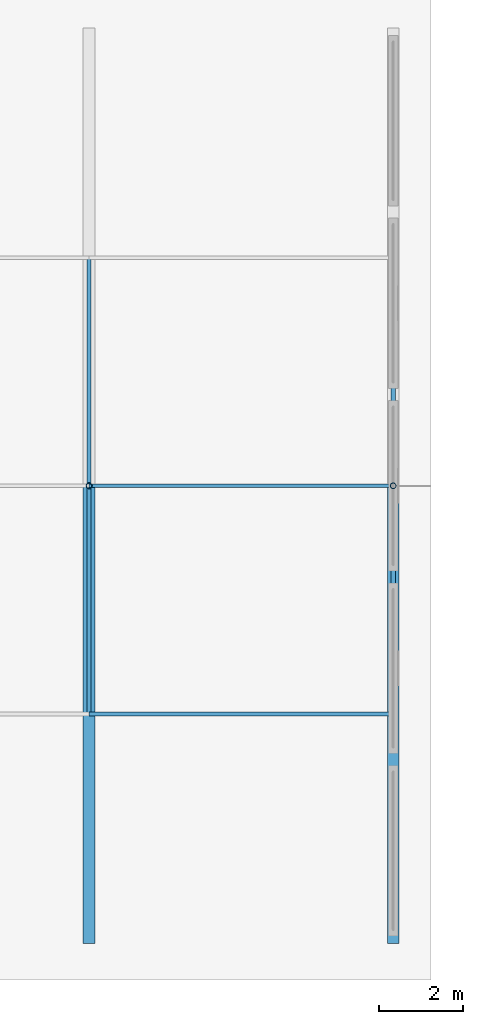
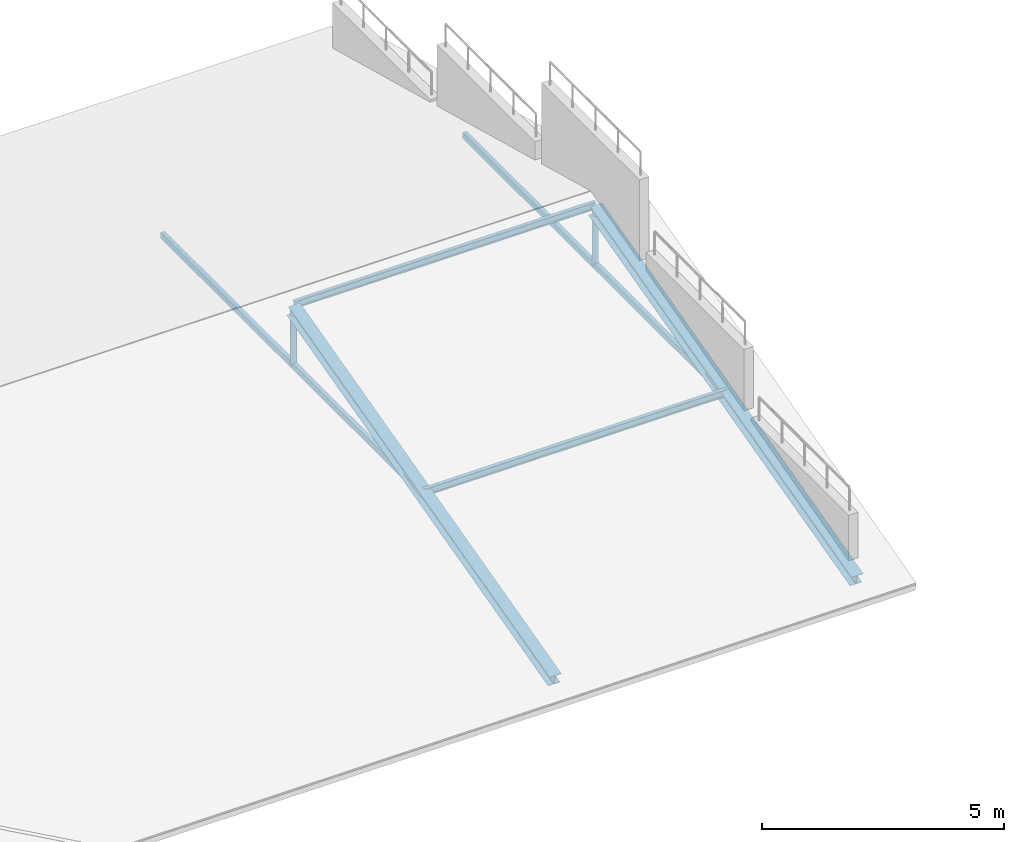
# One storey, part 22 of 124: 8 members.
"""IFC4 building model written with IfcOpenShell, lengths in metres."""

from ifc_helpers import new_model, si_unit, direction, frame, origin, origin_2d, place, context, subcontext, project, spatial, hollow_rectangle, hollow_circle, i_section, extrude, material, material_profile, profile_set, type_object, element, save


model = new_model("IFC4")

# Units and contexts
model_context = context("Model", 3, precision=1e-05, world=origin(), true_north=direction((0.0, 1.0)))
body_context = subcontext(model_context, "Body", "Model", "MODEL_VIEW")
ifc_project = project(units=[si_unit("LENGTHUNIT", "METRE"), si_unit("AREAUNIT", "SQUARE_METRE"), si_unit("VOLUMEUNIT", "CUBIC_METRE"), si_unit("PLANEANGLEUNIT", "RADIAN"), si_unit("MASSUNIT", "GRAM", prefix="KILO"), si_unit("THERMODYNAMICTEMPERATUREUNIT", "KELVIN"), si_unit("POWERUNIT", "WATT")], contexts=[model_context])

# Site, building, storey
site_placement = place(None, origin())
site = spatial("IfcSite", under=ifc_project, at=site_placement, CompositionType="ELEMENT")
building_placement = place(site_placement, origin())
building = spatial("IfcBuilding", under=site, at=building_placement, Name="Tavuni Mirador Residences", CompositionType="ELEMENT")
storey_placement = place(building_placement, frame((0.0, 0.0, 7.64990234375)))
storey = spatial("IfcBuildingStorey", under=building, at=storey_placement, Name="L02", CompositionType="ELEMENT", Elevation=7.64990234375)

# Members
ifc_material = material(Name="Structural steel S355", Category="steel")
ifc_material_profile_1 = material_profile(ifc_material, hollow_circle(Radius=0.06982421875, WallThickness=0.008056640625, at=origin_2d()), Name="CHS 139.7x8.0", Category="steel")
ifc_profile_set_1 = profile_set([ifc_material_profile_1], Name="Structural steel S355")
member_type_1 = type_object("IfcMemberType", Name="MT-BR-CHS139", PredefinedType="BRACE", material=ifc_profile_set_1)
for number, where, z_axis, x_axis, name in (
    (1, (82.800048828125, 18.0, 1.050048828125), (0.0, 0.0, 1.0), (1.0, 0.0, 0.0), "RKP-PAV-SHOP-05"),
    (2, (90.0, 18.0, 1.050048828125), (0.0, 0.0, 1.0), (1.0, 0.0, 0.0), "RKP-PAV-SHOP-06"),
):
    element("IfcMember", number, at=place(storey_placement, frame(where, z_axis=z_axis, x_axis=x_axis)), inside=storey, type_object=member_type_1, Name=name, PredefinedType="BRACE", context=body_context, shape_type="SweptSolid", body=[
        extrude(hollow_circle(Radius=0.06982421875, WallThickness=0.008056640625, at=origin_2d()), origin(), (0.0, 0.0, 1.0), 1.400146484375),
    ])
ifc_material_profile_2 = material_profile(ifc_material, hollow_rectangle(XDim=0.10009765625, YDim=0.14990234375, WallThickness=0.008056640625, at=origin_2d()), Name="RHS 150x100x8.0", Category="steel")
ifc_profile_set_2 = profile_set([ifc_material_profile_2], Name="Structural steel S355")
member_type_2 = type_object("IfcMemberType", Name="MT-BR-RHS150", PredefinedType="BRACE", material=ifc_profile_set_2)
for number, where, z_axis, x_axis, name in (
    (3, (82.800048828125, 12.60009765625, 1.050048828125), (0.0, 1.0, 0.0), (-1.0, 0.0, 0.0), "RTIE-PAV-SHOP-05"),
    (4, (90.0, 12.60009765625, 1.050048828125), (0.0, 1.0, 0.0), (-1.0, 0.0, 0.0), "RTIE-PAV-SHOP-06"),
):
    element("IfcMember", number, at=place(storey_placement, frame(where, z_axis=z_axis, x_axis=x_axis)), inside=storey, type_object=member_type_2, Name=name, PredefinedType="BRACE", context=body_context, shape_type="SweptSolid", body=[
        extrude(hollow_rectangle(XDim=0.10009765625, YDim=0.14990234375, WallThickness=0.008056640625, at=origin_2d()), origin(), (0.0, 0.0, 1.0), 10.7998046875),
    ])
ifc_material_profile_3 = material_profile(ifc_material, i_section(OverallWidth=0.280029296875, OverallDepth=0.27001953125, WebThickness=0.008056640625, FlangeThickness=0.012939453125, FilletRadius=0.02392578125, at=origin_2d()), Name="HEA 280", Category="steel")
ifc_profile_set_3 = profile_set([ifc_material_profile_3], Name="Structural steel S355")
member_type_3 = type_object("IfcMemberType", Name="MT-CH-HEA280", PredefinedType="CHORD", material=ifc_profile_set_3)
for number, where, z_axis, x_axis, name in (
    (5, (82.800048828125, 7.199951171875, -0.349853515625), (0.0, 0.967996110632, 0.250965196393), (-1.0, 0.0, 0.0), "RAF-PAV-SHOP-05-S"),
    (6, (90.0, 7.199951171875, -0.349853515625), (0.0, 0.967996110632, 0.250965196393), (-1.0, 0.0, 0.0), "RAF-PAV-SHOP-06-S"),
):
    element("IfcMember", number, at=place(storey_placement, frame(where, z_axis=z_axis, x_axis=x_axis)), inside=storey, type_object=member_type_3, Name=name, PredefinedType="CHORD", context=body_context, shape_type="SweptSolid", body=[
        extrude(i_section(OverallWidth=0.280029296875, OverallDepth=0.27001953125, WebThickness=0.008056640625, FlangeThickness=0.012939453125, FilletRadius=0.02392578125, at=origin_2d()), origin(), (0.0, 0.0, 1.0), 11.1572265625),
    ])
ifc_material_profile_4 = material_profile(ifc_material, i_section(OverallWidth=0.091064453125, OverallDepth=0.179931640625, WebThickness=0.00537109375, FlangeThickness=0.008056640625, FilletRadius=0.009033203125, at=origin_2d()), Name="IPE 180", Category="steel")
ifc_profile_set_4 = profile_set([ifc_material_profile_4], Name="Structural steel S355")
member_type_4 = type_object("IfcMemberType", Name="MT-PR-IPE180", PredefinedType="PURLIN", material=ifc_profile_set_4)
for number, where, z_axis, x_axis, name in (
    (7, (82.800048828125, 12.60009765625, 1.114990234375), (1.0, 0.0, 0.0), (0.0, 1.0, 0.0), "RPUR-PAV-SHOP-25-05"),
    (8, (82.800048828125, 18.0, 2.565185546875), (1.0, 0.0, 0.0), (0.0, 1.0, 0.0), "RPUR-PAV-SHOP-50-05"),
):
    element("IfcMember", number, at=place(storey_placement, frame(where, z_axis=z_axis, x_axis=x_axis)), inside=storey, type_object=member_type_4, Name=name, PredefinedType="PURLIN", context=body_context, shape_type="SweptSolid", body=[
        extrude(i_section(OverallWidth=0.091064453125, OverallDepth=0.179931640625, WebThickness=0.00537109375, FlangeThickness=0.008056640625, FilletRadius=0.009033203125, at=origin_2d()), origin(), (0.0, 0.0, 1.0), 7.199951171875),
    ])

save(model, "model.ifc")
